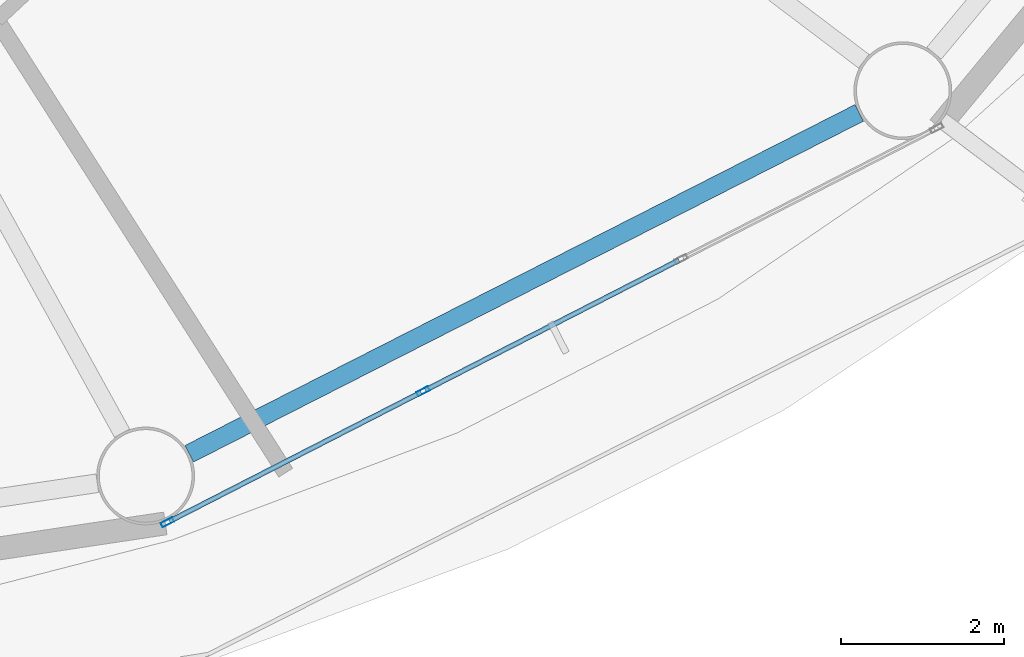
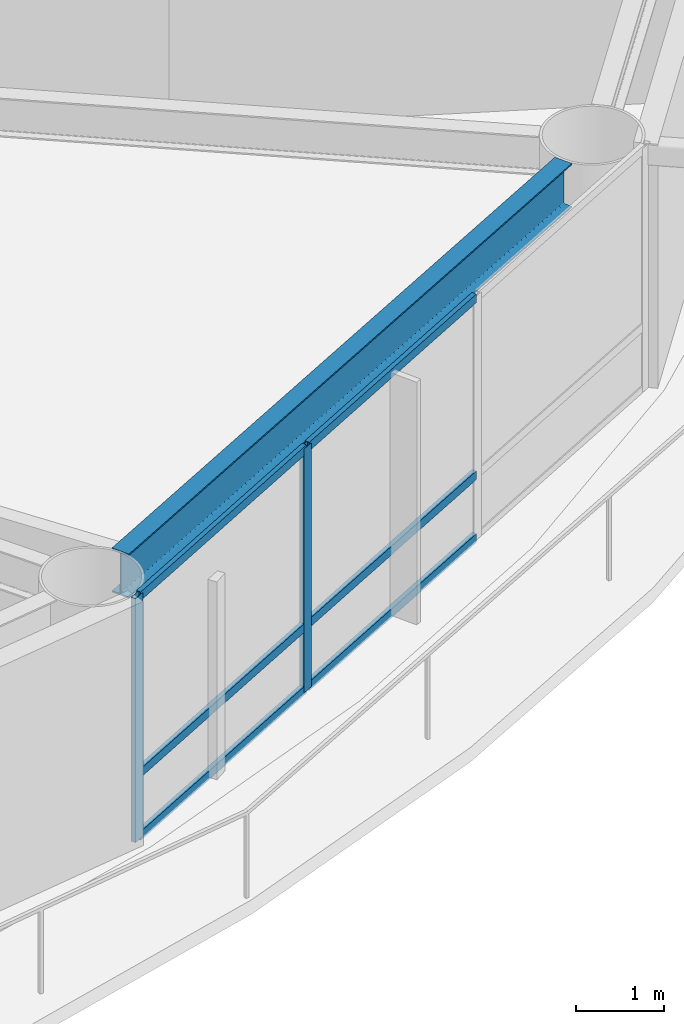
# One storey, part 4 of 24: 8 members, 1 beam, 1 element without a shape of its own.
"""IFC4 building model written with IfcOpenShell, lengths in metres."""

from ifc_helpers import new_model, si_unit, direction, frame, origin, origin_2d, place, context, subcontext, project, spatial, hollow_rectangle, i_section, extrude, material, layer, layer_set, material_profile, profile_set, type_object, element, aggregate, save


model = new_model("IFC4")

# Units and contexts
model_context = context("Model", 3, precision=1e-05, world=origin(), true_north=direction((0.0, 1.0)))
body_context = subcontext(model_context, "Body", "Model", "MODEL_VIEW")
ifc_project = project(units=[si_unit("LENGTHUNIT", "METRE"), si_unit("AREAUNIT", "SQUARE_METRE"), si_unit("VOLUMEUNIT", "CUBIC_METRE"), si_unit("PLANEANGLEUNIT", "RADIAN"), si_unit("MASSUNIT", "GRAM", prefix="KILO")], contexts=[model_context])

# Site, building, storey
site_placement = place(None, origin())
site = spatial("IfcSite", under=ifc_project, at=site_placement, CompositionType="ELEMENT")
building_placement = place(site_placement, origin())
building = spatial("IfcBuilding", under=site, at=building_placement, Name="Sarneth Arch Tower", CompositionType="ELEMENT")
storey_placement = place(building_placement, frame((0.0, 0.0, 116.39990234375)))
storey = spatial("IfcBuildingStorey", under=building, at=storey_placement, Name="L29", CompositionType="ELEMENT", Elevation=116.39990234375)

# Beam
ifc_material_1 = material(Name="Steel S355", Category="steel")
ifc_material_profile_1 = material_profile(ifc_material_1, i_section(OverallWidth=0.22900390625, OverallDepth=0.612060546875, WebThickness=0.011962890625, FlangeThickness=0.01953125, FilletRadius=0.01904296875, at=origin_2d()), Name="W610x125")
ifc_profile_set_1 = profile_set([ifc_material_profile_1], Name="Steel S355")
beam_type = type_object("IfcBeamType", Name="BM-SPAN-610C", PredefinedType="SPANDREL", material=ifc_profile_set_1)
beam_placement = place(storey_placement, frame((59.64501953125, 22.131591796875, 3.07421875), z_axis=(0.891259443414, 0.453493775619, 0.0), x_axis=(-0.453493775619, 0.891259443414, 0.0)))
element("IfcBeam", 1, at=beam_placement, inside=storey, type_object=beam_type, Name="L29 Perimeter spandrel beam 14", PredefinedType="SPANDREL", context=body_context, shape_type="SweptSolid", body=[
    extrude(i_section(OverallWidth=0.22900390625, OverallDepth=0.612060546875, WebThickness=0.011962890625, FlangeThickness=0.01953125, FilletRadius=0.01904296875, at=origin_2d()), origin(), (0.0, 0.0, 1.0), 9.220458984375),
])

# Curtain wall, members
ifc_material_2 = material(Name="Anodised aluminium Type AA25 and solar-control low-e laminated IGU", Category="aluminium")
ifc_layer = layer(ifc_material_2, 0.159912109375)
ifc_layer_set = layer_set([ifc_layer], Name="Anodised aluminium Type AA25 and solar-control low-e laminated IGU")
curtain_wall_type = type_object("IfcCurtainWallType", Name="CW-HOTEL-MID", PredefinedType="NOTDEFINED", material=ifc_layer_set)
curtain_wall_placement = place(storey_placement, origin())
curtain_wall = element("IfcCurtainWall", 2, at=curtain_wall_placement, inside=storey, type_object=curtain_wall_type, Name="L29 Unitised curtain wall facet 14", PredefinedType="NOTDEFINED")
ifc_material_3 = material(Name="Anodised Aluminium 6063-T6", Category="aluminium")
ifc_material_profile_2 = material_profile(ifc_material_3, hollow_rectangle(XDim=0.06005859375, YDim=0.159912109375, WallThickness=0.00390625, at=origin_2d()), Name="AL-MULL-160x60x4")
ifc_profile_set_2 = profile_set([ifc_material_profile_2], Name="Anodised Aluminium 6063-T6")
member_type_1 = type_object("IfcMemberType", Name="CW-MULLION", PredefinedType="MULLION", material=ifc_profile_set_2)
member_1_placement = place(storey_placement, frame((59.3779296875, 21.291015625, 0.0), z_axis=(0.0, 0.0, 1.0), x_axis=(-0.456031365356, 0.889963703649, 0.0)))
member_1 = element("IfcMember", 3, at=member_1_placement, type_object=member_type_1, Name="CW-SYS-4 mullion 1", PredefinedType="MULLION", context=body_context, shape_type="SweptSolid", body=[
    extrude(hollow_rectangle(XDim=0.06005859375, YDim=0.159912109375, WallThickness=0.00390625, at=origin_2d()), origin(), (0.0, 0.0, 1.0), 3.380126953125),
])
member_2_placement = place(storey_placement, frame((62.51416015625, 22.898193359375, 0.0), z_axis=(0.0, 0.0, 1.0), x_axis=(-0.456031365356, 0.889963703649, 0.0)))
member_2 = element("IfcMember", 4, at=member_2_placement, type_object=member_type_1, Name="CW-SYS-4 mullion 2", PredefinedType="MULLION", context=body_context, shape_type="SweptSolid", body=[
    extrude(hollow_rectangle(XDim=0.06005859375, YDim=0.159912109375, WallThickness=0.00390625, at=origin_2d()), origin(), (0.0, 0.0, 1.0), 3.380126953125),
])
ifc_material_4 = material(Name="Anodised Aluminium 6063-T6", Category="aluminium")
ifc_material_profile_3 = material_profile(ifc_material_4, hollow_rectangle(XDim=0.06005859375, YDim=0.1201171875, WallThickness=0.00390625, at=origin_2d()), Name="AL-TRAN-120x60x4")
ifc_profile_set_3 = profile_set([ifc_material_profile_3], Name="Anodised Aluminium 6063-T6")
member_type_2 = type_object("IfcMemberType", Name="CW-TRANSOM", PredefinedType="USERDEFINED", material=ifc_profile_set_3)
member_3_placement = place(storey_placement, frame((59.404541015625, 21.3046875, 0.030029296875), z_axis=(0.889957563627, 0.456043347658, 0.0), x_axis=(-0.456043347658, 0.889957563627, 0.0)))
member_3 = element("IfcMember", 5, at=member_3_placement, type_object=member_type_2, Name="CW-SYS-4 transom 1.1", ObjectType="TRANSOM", PredefinedType="USERDEFINED", context=body_context, shape_type="SweptSolid", body=[
    extrude(hollow_rectangle(XDim=0.06005859375, YDim=0.1201171875, WallThickness=0.00390625, at=origin_2d()), origin(), (0.0, 0.0, 1.0), 3.464111328125),
])
member_4_placement = place(storey_placement, frame((59.404541015625, 21.3046875, 0.900146484375), z_axis=(0.889957563627, 0.456043347658, 0.0), x_axis=(-0.456043347658, 0.889957563627, 0.0)))
member_4 = element("IfcMember", 6, at=member_4_placement, type_object=member_type_2, Name="CW-SYS-4 transom 1.2", ObjectType="TRANSOM", PredefinedType="USERDEFINED", context=body_context, shape_type="SweptSolid", body=[
    extrude(hollow_rectangle(XDim=0.06005859375, YDim=0.1201171875, WallThickness=0.00390625, at=origin_2d()), origin(), (0.0, 0.0, 1.0), 3.464111328125),
])
member_5_placement = place(storey_placement, frame((59.404541015625, 21.3046875, 3.35009765625), z_axis=(0.889957563627, 0.456043347658, 0.0), x_axis=(-0.456043347658, 0.889957563627, 0.0)))
member_5 = element("IfcMember", 7, at=member_5_placement, type_object=member_type_2, Name="CW-SYS-4 transom 1.3", ObjectType="TRANSOM", PredefinedType="USERDEFINED", context=body_context, shape_type="SweptSolid", body=[
    extrude(hollow_rectangle(XDim=0.06005859375, YDim=0.1201171875, WallThickness=0.00390625, at=origin_2d()), origin(), (0.0, 0.0, 1.0), 3.464111328125),
])
member_6_placement = place(storey_placement, frame((62.540771484375, 22.911865234375, 0.030029296875), z_axis=(0.889981813856, 0.455996020823, 0.0), x_axis=(-0.455996020823, 0.889981813856, 0.0)))
member_6 = element("IfcMember", 8, at=member_6_placement, type_object=member_type_2, Name="CW-SYS-4 transom 2.1", ObjectType="TRANSOM", PredefinedType="USERDEFINED", context=body_context, shape_type="SweptSolid", body=[
    extrude(hollow_rectangle(XDim=0.06005859375, YDim=0.1201171875, WallThickness=0.00390625, at=origin_2d()), origin(), (0.0, 0.0, 1.0), 3.494140625),
])
member_7_placement = place(storey_placement, frame((62.540771484375, 22.911865234375, 0.900146484375), z_axis=(0.889981813856, 0.455996020823, 0.0), x_axis=(-0.455996020823, 0.889981813856, 0.0)))
member_7 = element("IfcMember", 9, at=member_7_placement, type_object=member_type_2, Name="CW-SYS-4 transom 2.2", ObjectType="TRANSOM", PredefinedType="USERDEFINED", context=body_context, shape_type="SweptSolid", body=[
    extrude(hollow_rectangle(XDim=0.06005859375, YDim=0.1201171875, WallThickness=0.00390625, at=origin_2d()), origin(), (0.0, 0.0, 1.0), 3.494140625),
])
member_8_placement = place(storey_placement, frame((62.540771484375, 22.911865234375, 3.35009765625), z_axis=(0.889981813856, 0.455996020823, 0.0), x_axis=(-0.455996020823, 0.889981813856, 0.0)))
member_8 = element("IfcMember", 10, at=member_8_placement, type_object=member_type_2, Name="CW-SYS-4 transom 2.3", ObjectType="TRANSOM", PredefinedType="USERDEFINED", context=body_context, shape_type="SweptSolid", body=[
    extrude(hollow_rectangle(XDim=0.06005859375, YDim=0.1201171875, WallThickness=0.00390625, at=origin_2d()), origin(), (0.0, 0.0, 1.0), 3.494140625),
])
aggregate(curtain_wall, [member_1, member_2, member_3, member_4, member_5, member_6, member_7, member_8])

save(model, "model.ifc")
